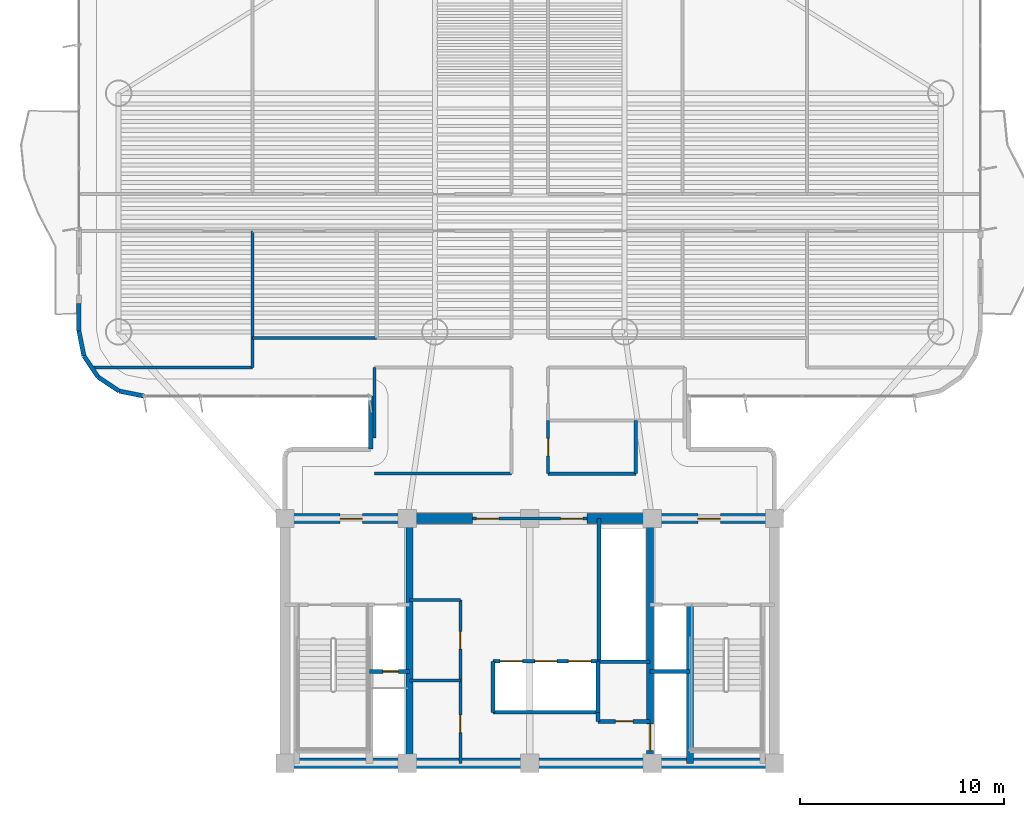
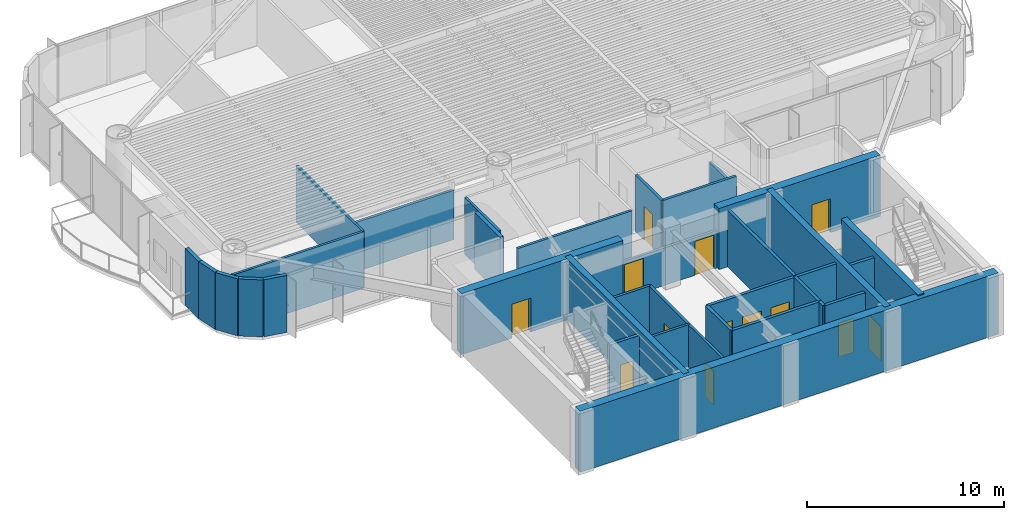
# One storey, part 9 of 16: 34 walls, 13 doors, 13 openings.
"""IFC4 building model written with IfcOpenShell, lengths in metres."""

from ifc_helpers import new_model, si_unit, direction, frame, frame_2d, origin, origin_2d, place, context, subcontext, project, spatial, rectangle, extrude, source, transform, mapped, material, layer, layer_set, type_object, element, fill, save


model = new_model("IFC4")

# Units and contexts
model_context = context("Model", 3, precision=1e-05, world=origin(), true_north=direction((0.0, 1.0)))
body_context = subcontext(model_context, "Body", "Model", "MODEL_VIEW")
ifc_project = project(units=[si_unit("LENGTHUNIT", "METRE"), si_unit("AREAUNIT", "SQUARE_METRE"), si_unit("VOLUMEUNIT", "CUBIC_METRE"), si_unit("PLANEANGLEUNIT", "RADIAN"), si_unit("MASSUNIT", "GRAM", prefix="KILO")], contexts=[model_context])

# Site, building, storey
site_placement = place(None, origin())
site = spatial("IfcSite", under=ifc_project, at=site_placement, CompositionType="ELEMENT")
building_placement = place(site_placement, origin())
building = spatial("IfcBuilding", under=site, at=building_placement, Name="Brelvock Crest Care Tower", CompositionType="ELEMENT")
storey_placement = place(building_placement, frame((0.0, 0.0, 108.719970703125)))
storey = spatial("IfcBuildingStorey", under=building, at=storey_placement, Name="L27", CompositionType="ELEMENT", Elevation=108.719970703125)

# Wall
ifc_material_1 = material(Name="Concrete S80 (80 MPa)", Category="concrete")
ifc_layer_1 = layer(ifc_material_1, 0.5, Name="WL-CS2")
ifc_layer_set_1 = layer_set([ifc_layer_1], Name="Concrete S80 (80 MPa)")
wall_type_1 = type_object("IfcWallType", Name="WL-CS2", PredefinedType="SHEAR", material=ifc_layer_set_1)
wall_1_placement = place(storey_placement, frame((48.25, 6.0, 0.0), z_axis=(0.0, 0.0, 1.0), x_axis=(-1.0, 0.0, 0.0)))
element("IfcWall", 1, at=wall_1_placement, inside=storey, type_object=wall_type_1, Name="L27 Core South Shear Wall", PredefinedType="SHEAR", context=body_context, shape_type="SweptSolid", body=[
    extrude(rectangle(XDim=24.5, YDim=0.5, at=frame_2d((12.25, 0.0))), origin(), (0.0, 0.0, 1.0), 3.780029296875),
])

# Wall, opening, door
wall_2_placement = place(storey_placement, frame((23.75, 18.0, 0.0), z_axis=(0.0, 0.0, 1.0), x_axis=(1.0, 0.0, 0.0)))
wall_2 = element("IfcWall", 2, at=wall_2_placement, inside=storey, type_object=wall_type_1, Name="L27 Core North-West Shear Wall", PredefinedType="SHEAR", context=body_context, shape_type="SweptSolid", body=[
    extrude(rectangle(XDim=9.449951171875, YDim=0.5, at=frame_2d((4.72509765625, 0.0))), origin(), (0.0, 0.0, 1.0), 3.780029296875),
])
opening_1_placement = place(wall_2_placement, frame((2.949951171875, 0.0, 0.0)))
opening_1 = element("IfcOpeningElement", 3, at=opening_1_placement, cuts=wall_2, Name="Opening FD-1", PredefinedType="OPENING", context=body_context, shape_type="SweptSolid", body=[
    extrude(rectangle(XDim=1.10009765625, YDim=2.10009765625, at=origin_2d()), frame((0.550048828125, 0.260009765625, 1.050048828125), z_axis=(0.0, -1.0, 0.0), x_axis=(1.0, 0.0, 0.0)), (0.0, 0.0, 1.0), 0.52001953125),
])
ifc_material_2 = material(Name="Steel Grade 350", Category="steel")
door_type_1 = type_object("IfcDoorType", Name="DR-FFL1", OperationType="NOTDEFINED", PredefinedType="DOOR", material=ifc_material_2)
shared_shape_1 = source(origin(), body_context, "Body", "SweptSolid", [
    extrude(rectangle(XDim=1.10009765625, YDim=2.10009765625, at=origin_2d()), frame((0.550048828125, 0.02490234375, 1.050048828125), z_axis=(0.0, -1.0, 0.0), x_axis=(1.0, 0.0, 0.0)), (0.0, 0.0, 1.0), 0.050048828125),
])
door_1_placement = place(opening_1_placement, origin())
door_1 = element("IfcDoor", 4, at=door_1_placement, inside=storey, type_object=door_type_1, Name="L27 Firefighting Lobby FFL-1 Exit Door", OperationType="SINGLE_SWING_LEFT", OverallHeight=2.10009765625, OverallWidth=1.10009765625, PredefinedType="DOOR", context=body_context, shape_type="MappedRepresentation", body=[
    mapped(shared_shape_1, transform((0.0, 0.0, 0.0), x_axis=(1.0, 0.0, 0.0), y_axis=(0.0, 1.0, 0.0), z_axis=(0.0, 0.0, 1.0), scale=1.0)),
])
fill(opening_1, door_1)

wall_3_placement = place(storey_placement, frame((38.800048828125, 18.0, 0.0), z_axis=(0.0, 0.0, 1.0), x_axis=(1.0, 0.0, 0.0)))
wall_3 = element("IfcWall", 5, at=wall_3_placement, inside=storey, type_object=wall_type_1, Name="L27 Core North-East Shear Wall", PredefinedType="SHEAR", context=body_context, shape_type="SweptSolid", body=[
    extrude(rectangle(XDim=9.449951171875, YDim=0.5, at=frame_2d((4.72509765625, 0.0))), origin(), (0.0, 0.0, 1.0), 3.780029296875),
])
opening_2_placement = place(wall_3_placement, frame((5.449951171875, 0.0, 0.0)))
opening_2 = element("IfcOpeningElement", 6, at=opening_2_placement, cuts=wall_3, Name="Opening FD-1", PredefinedType="OPENING", context=body_context, shape_type="SweptSolid", body=[
    extrude(rectangle(XDim=1.10009765625, YDim=2.10009765625, at=origin_2d()), frame((0.550048828125, 0.260009765625, 1.050048828125), z_axis=(0.0, -1.0, 0.0), x_axis=(1.0, 0.0, 0.0)), (0.0, 0.0, 1.0), 0.52001953125),
])
door_2_placement = place(opening_2_placement, origin())
door_2 = element("IfcDoor", 7, at=door_2_placement, inside=storey, type_object=door_type_1, Name="L27 Firefighting Lobby FFL-2 Exit Door", OperationType="SINGLE_SWING_RIGHT", OverallHeight=2.10009765625, OverallWidth=1.10009765625, PredefinedType="DOOR", context=body_context, shape_type="MappedRepresentation", body=[
    mapped(shared_shape_1, transform((0.0, 0.0, 0.0), x_axis=(1.0, 0.0, 0.0), y_axis=(0.0, 1.0, 0.0), z_axis=(0.0, 0.0, 1.0), scale=1.0)),
])
fill(opening_2, door_2)

# Wall
ifc_layer_2 = layer(ifc_material_1, 0.35009765625, Name="WL-CS5")
ifc_layer_set_2 = layer_set([ifc_layer_2], Name="Concrete S80 (80 MPa)")
wall_type_2 = type_object("IfcWallType", Name="WL-CS5", PredefinedType="SHEAR", material=ifc_layer_set_2)
wall_4_placement = place(storey_placement, frame((30.10009765625, 6.0, 0.0), z_axis=(0.0, 0.0, 1.0), x_axis=(0.0, 1.0, 0.0)))
element("IfcWall", 8, at=wall_4_placement, inside=storey, type_object=wall_type_2, Name="L27 Core Internal Web Wall West", PredefinedType="SHEAR", context=body_context, shape_type="SweptSolid", body=[
    extrude(rectangle(XDim=12.0, YDim=0.35009765625, at=frame_2d((6.0, 0.0))), origin(), (0.0, 0.0, 1.0), 3.780029296875),
])

# Wall, opening, door
wall_5_placement = place(storey_placement, frame((41.89990234375, 18.0, 0.0), z_axis=(0.0, 0.0, 1.0), x_axis=(0.0, -1.0, 0.0)))
wall_5 = element("IfcWall", 9, at=wall_5_placement, inside=storey, type_object=wall_type_2, Name="L27 Core Internal Web Wall East", PredefinedType="SHEAR", context=body_context, shape_type="SweptSolid", body=[
    extrude(rectangle(XDim=12.0, YDim=0.35009765625, at=frame_2d((6.0, 0.0))), origin(), (0.0, 0.0, 1.0), 3.780029296875),
])
opening_3_placement = place(wall_5_placement, frame((10.080078125, 0.0, 0.0)))
opening_3 = element("IfcOpeningElement", 10, at=opening_3_placement, cuts=wall_5, Name="Opening LD-S", PredefinedType="OPENING", context=body_context, shape_type="SweptSolid", body=[
    extrude(rectangle(XDim=1.300048828125, YDim=2.10009765625, at=origin_2d()), frame((0.64990234375, 0.18505859375, 1.050048828125), z_axis=(0.0, -1.0, 0.0), x_axis=(1.0, 0.0, 0.0)), (0.0, 0.0, 1.0), 0.3701171875),
])
door_type_2 = type_object("IfcDoorType", Name="DR-LDS1", OperationType="NOTDEFINED", PredefinedType="DOOR", material=ifc_material_2)
shared_shape_2 = source(origin(), body_context, "Body", "SweptSolid", [
    extrude(rectangle(XDim=1.300048828125, YDim=2.10009765625, at=origin_2d()), frame((0.64990234375, 0.02490234375, 1.050048828125), z_axis=(0.0, -1.0, 0.0), x_axis=(1.0, 0.0, 0.0)), (0.0, 0.0, 1.0), 0.050048828125),
])
door_3_placement = place(opening_3_placement, origin())
door_3 = element("IfcDoor", 11, at=door_3_placement, inside=storey, type_object=door_type_2, Name="L27 Clinical Bed Lift SL-1 Landing Door", OperationType="SLIDING_TO_LEFT", OverallHeight=2.10009765625, OverallWidth=1.300048828125, PredefinedType="DOOR", context=body_context, shape_type="MappedRepresentation", body=[
    mapped(shared_shape_2, transform((0.0, 0.0, 0.0), x_axis=(1.0, 0.0, 0.0), y_axis=(0.0, 1.0, 0.0), z_axis=(0.0, 0.0, 1.0), scale=1.0)),
])
fill(opening_3, door_3)

# Walls
wall_6_placement = place(storey_placement, frame((43.85009765625, 6.0, 0.0), z_axis=(0.0, 0.0, 1.0), x_axis=(0.0, 1.0, 0.0)))
element("IfcWall", 12, at=wall_6_placement, inside=storey, type_object=wall_type_2, Name="L27 Core Stair ST-2 West Shear Wall", PredefinedType="SHEAR", context=body_context, shape_type="SweptSolid", body=[
    extrude(rectangle(XDim=7.780029296875, YDim=0.35009765625, at=frame_2d((3.89013671875, 0.0))), origin(), (0.0, 0.0, 1.0), 3.85009765625),
])
ifc_material_3 = material(Name="Precast concrete N40 (40 MPa)", Category="concrete")
ifc_layer_3 = layer(ifc_material_3, 0.215087890625, Name="WL-EX2")
ifc_layer_set_3 = layer_set([ifc_layer_3], Name="Precast concrete N40 (40 MPa)")
wall_type_3 = type_object("IfcWallType", Name="WL-EX2", PredefinedType="SOLIDWALL", material=ifc_layer_set_3)
wall_7_placement = place(storey_placement, frame((28.199951171875, 21.39990234375, 0.0), z_axis=(0.0, 0.0, 1.0), x_axis=(0.0, 1.0, 0.0)))
element("IfcWall", 13, at=wall_7_placement, inside=storey, type_object=wall_type_3, Name="L27 Rounded Corner Wall 11", PredefinedType="SOLIDWALL", context=body_context, shape_type="SweptSolid", body=[
    extrude(rectangle(XDim=2.60009765625, YDim=0.215087890625, at=frame_2d((1.300048828125, 0.0))), origin(), (0.0, 0.0, 1.0), 3.530029296875),
])
for number, where, z_axis, x_axis, name in (
    (14, (17.10009765625, 24.0, 0.0), (0.0, 0.0, 1.0), (-0.980775717779, 0.195138390419, 0.0), "L27 Rounded Corner Wall 13"),
    (15, (15.87548828125, 24.24365234375, 0.0), (0.0, 0.0, 1.0), (-0.831478245117, 0.555557312883, 0.0), "L27 Rounded Corner Wall 14"),
    (16, (14.83740234375, 24.937255859375, 0.0), (0.0, 0.0, 1.0), (-0.555692485475, 0.831387912822, 0.0), "L27 Rounded Corner Wall 15"),
    (17, (14.1435546875, 25.975341796875, 0.0), (0.0, 0.0, 1.0), (-0.195138390419, 0.980775717779, 0.0), "L27 Rounded Corner Wall 16"),
):
    element("IfcWall", number, at=place(storey_placement, frame(where, z_axis=z_axis, x_axis=x_axis)), inside=storey, type_object=wall_type_3, Name=name, PredefinedType="SOLIDWALL", context=body_context, shape_type="SweptSolid", body=[
        extrude(rectangle(XDim=1.24853515625, YDim=0.215087890625, at=frame_2d((0.624267578125, 0.0))), origin(), (0.0, 0.0, 1.0), 3.530029296875),
    ])
wall_8_placement = place(storey_placement, frame((13.89990234375, 27.199951171875, 0.0), z_axis=(0.0, 0.0, 1.0), x_axis=(0.0, 1.0, 0.0)))
element("IfcWall", 18, at=wall_8_placement, inside=storey, type_object=wall_type_3, Name="L27 Exterior Spandrel Pier E17A", PredefinedType="SOLIDWALL", context=body_context, shape_type="SweptSolid", body=[
    extrude(rectangle(XDim=1.35009765625, YDim=0.215087890625, at=frame_2d((0.675048828125, 0.0))), origin(), (0.0, 0.0, 1.0), 3.530029296875),
])
ifc_material_4 = material(Name="Masonry Blockwork Acoustic Partition", Category="masonry")
ifc_layer_4 = layer(ifc_material_4, 0.14990234375, Name="WL-INT1")
ifc_layer_set_4 = layer_set([ifc_layer_4], Name="Masonry Blockwork Acoustic Partition")
wall_type_4 = type_object("IfcWallType", Name="WL-INT1", PredefinedType="PARTITIONING", material=ifc_layer_set_4)
for number, where, z_axis, x_axis, name in (
    (19, (30.10009765625, 14.0, 0.0), (0.0, 0.0, 1.0), (1.0, 0.0, 0.0), "L27 Interior Wall WL-CRCL-N1-L27"),
    (20, (30.10009765625, 10.050048828125, 0.0), (0.0, 0.0, 1.0), (1.0, 0.0, 0.0), "L27 Interior Wall WL-CSBW-S1-L27"),
):
    element("IfcWall", number, at=place(storey_placement, frame(where, z_axis=z_axis, x_axis=x_axis)), inside=storey, type_object=wall_type_4, Name=name, PredefinedType="PARTITIONING", context=body_context, shape_type="SweptSolid", body=[
        extrude(rectangle(XDim=2.5, YDim=0.14990234375, at=frame_2d((1.25, 0.0))), origin(), (0.0, 0.0, 1.0), 3.5),
    ])

# Wall, openings, doors
wall_9_placement = place(storey_placement, frame((32.60009765625, 6.0, 0.0), z_axis=(0.0, 0.0, 1.0), x_axis=(0.0, 1.0, 0.0)))
wall_9 = element("IfcWall", 21, at=wall_9_placement, inside=storey, type_object=wall_type_4, Name="L27 Interior Wall WL-CRCL-E-L27", PredefinedType="PARTITIONING", context=body_context, shape_type="SweptSolid", body=[
    extrude(rectangle(XDim=8.0, YDim=0.14990234375, at=frame_2d((4.0, 0.0))), origin(), (0.0, 0.0, 1.0), 3.5),
])
opening_4_placement = place(wall_9_placement, frame((1.5, 0.0, 0.0)))
opening_4 = element("IfcOpeningElement", 22, at=opening_4_placement, cuts=wall_9, Name="Opening ID-1", PredefinedType="OPENING", context=body_context, shape_type="SweptSolid", body=[
    extrude(rectangle(XDim=0.860107421875, YDim=2.10009765625, at=origin_2d()), frame((0.43017578125, 0.0849609375, 1.050048828125), z_axis=(0.0, -1.0, 0.0), x_axis=(1.0, 0.0, 0.0)), (0.0, 0.0, 1.0), 0.169921875),
])
opening_5_placement = place(wall_9_placement, frame((5.60009765625, 0.0, 0.0)))
opening_5 = element("IfcOpeningElement", 23, at=opening_5_placement, cuts=wall_9, Name="Opening ID-1", PredefinedType="OPENING", context=body_context, shape_type="SweptSolid", body=[
    extrude(rectangle(XDim=0.860107421875, YDim=2.10009765625, at=origin_2d()), frame((0.43017578125, 0.0849609375, 1.050048828125), z_axis=(0.0, -1.0, 0.0), x_axis=(1.0, 0.0, 0.0)), (0.0, 0.0, 1.0), 0.169921875),
])
ifc_material_5 = material(Name="Engineered Hardwood Timber", Category="wood")
door_type_3 = type_object("IfcDoorType", Name="DR-INT1", OperationType="NOTDEFINED", PredefinedType="DOOR", material=ifc_material_5)
shared_shape_3 = source(origin(), body_context, "Body", "SweptSolid", [
    extrude(rectangle(XDim=0.860107421875, YDim=2.10009765625, at=origin_2d()), frame((0.43017578125, 0.02490234375, 1.050048828125), z_axis=(0.0, -1.0, 0.0), x_axis=(1.0, 0.0, 0.0)), (0.0, 0.0, 1.0), 0.050048828125),
])
door_4_placement = place(opening_4_placement, origin())
door_4 = element("IfcDoor", 24, at=door_4_placement, inside=storey, type_object=door_type_3, Name="DR-CSBW-L27", OperationType="SINGLE_SWING_LEFT", OverallHeight=2.10009765625, OverallWidth=0.860107421875, PredefinedType="DOOR", context=body_context, shape_type="MappedRepresentation", body=[
    mapped(shared_shape_3, transform((0.0, 0.0, 0.0), x_axis=(1.0, 0.0, 0.0), y_axis=(0.0, 1.0, 0.0), z_axis=(0.0, 0.0, 1.0), scale=1.0)),
])
fill(opening_4, door_4)
door_5_placement = place(opening_5_placement, origin())
door_5 = element("IfcDoor", 25, at=door_5_placement, inside=storey, type_object=door_type_3, Name="DR-CRCL1-L27", OperationType="SINGLE_SWING_LEFT", OverallHeight=2.10009765625, OverallWidth=0.860107421875, PredefinedType="DOOR", context=body_context, shape_type="MappedRepresentation", body=[
    mapped(shared_shape_3, transform((0.0, 0.0, 0.0), x_axis=(1.0, 0.0, 0.0), y_axis=(0.0, 1.0, 0.0), z_axis=(0.0, 0.0, 1.0), scale=1.0)),
])
fill(opening_5, door_5)

wall_10_placement = place(storey_placement, frame((33.199951171875, 18.0, 0.0), z_axis=(0.0, 0.0, 1.0), x_axis=(1.0, 0.0, 0.0)))
wall_10 = element("IfcWall", 26, at=wall_10_placement, inside=storey, type_object=wall_type_4, Name="L27 Interior Wall WL-CORE-NPORT-L27", PredefinedType="PARTITIONING", context=body_context, shape_type="SweptSolid", body=[
    extrude(rectangle(XDim=5.60009765625, YDim=0.14990234375, at=frame_2d((2.800048828125, 0.0))), origin(), (0.0, 0.0, 1.0), 2.31494140625),
])
opening_6_placement = place(wall_10_placement, frame((0.18994140625, 0.0, 0.0)))
opening_6 = element("IfcOpeningElement", 27, at=opening_6_placement, cuts=wall_10, Name="Opening FD-1", PredefinedType="OPENING", context=body_context, shape_type="SweptSolid", body=[
    extrude(rectangle(XDim=1.10009765625, YDim=2.10009765625, at=origin_2d()), frame((0.550048828125, 0.0849609375, 1.050048828125), z_axis=(0.0, -1.0, 0.0), x_axis=(1.0, 0.0, 0.0)), (0.0, 0.0, 1.0), 0.169921875),
])
opening_7_placement = place(wall_10_placement, frame((4.31005859375, 0.0, 0.0)))
opening_7 = element("IfcOpeningElement", 28, at=opening_7_placement, cuts=wall_10, Name="Opening FD-1", PredefinedType="OPENING", context=body_context, shape_type="SweptSolid", body=[
    extrude(rectangle(XDim=1.10009765625, YDim=2.10009765625, at=origin_2d()), frame((0.550048828125, 0.0849609375, 1.050048828125), z_axis=(0.0, -1.0, 0.0), x_axis=(1.0, 0.0, 0.0)), (0.0, 0.0, 1.0), 0.169921875),
])
door_6_placement = place(opening_6_placement, origin())
door_6 = element("IfcDoor", 29, at=door_6_placement, inside=storey, type_object=door_type_1, Name="L27 Lift Lobby North Smoke Door West", OperationType="SINGLE_SWING_LEFT", OverallHeight=2.10009765625, OverallWidth=1.10009765625, PredefinedType="DOOR", context=body_context, shape_type="MappedRepresentation", body=[
    mapped(shared_shape_1, transform((0.0, 0.0, 0.0), x_axis=(1.0, 0.0, 0.0), y_axis=(0.0, 1.0, 0.0), z_axis=(0.0, 0.0, 1.0), scale=1.0)),
])
fill(opening_6, door_6)
door_7_placement = place(opening_7_placement, origin())
door_7 = element("IfcDoor", 30, at=door_7_placement, inside=storey, type_object=door_type_1, Name="L27 Lift Lobby North Smoke Door East", OperationType="SINGLE_SWING_RIGHT", OverallHeight=2.10009765625, OverallWidth=1.10009765625, PredefinedType="DOOR", context=body_context, shape_type="MappedRepresentation", body=[
    mapped(shared_shape_1, transform((0.0, 0.0, 0.0), x_axis=(1.0, 0.0, 0.0), y_axis=(0.0, 1.0, 0.0), z_axis=(0.0, 0.0, 1.0), scale=1.0)),
])
fill(opening_7, door_7)

# Walls
wall_11_placement = place(storey_placement, frame((28.39990234375, 20.199951171875, 0.0), z_axis=(0.0, 0.0, 1.0), x_axis=(1.0, 0.0, 0.0)))
element("IfcWall", 31, at=wall_11_placement, inside=storey, type_object=wall_type_4, Name="L27 Interior Wall WL-BX-L27-THW-S", PredefinedType="PARTITIONING", context=body_context, shape_type="SweptSolid", body=[
    extrude(rectangle(XDim=6.7001953125, YDim=0.14990234375, at=frame_2d((3.35009765625, 0.0))), origin(), (0.0, 0.0, 1.0), 3.5),
])
wall_12_placement = place(storey_placement, frame((14.624267578125, 25.39990234375, 0.0), z_axis=(0.0, 0.0, 1.0), x_axis=(1.0, 0.0, 0.0)))
element("IfcWall", 32, at=wall_12_placement, inside=storey, type_object=wall_type_4, Name="L27 Interior Wall WL-BX-L27-SW-S2", PredefinedType="PARTITIONING", context=body_context, shape_type="SweptSolid", body=[
    extrude(rectangle(XDim=7.775634765625, YDim=0.14990234375, at=frame_2d((3.8876953125, 0.0))), origin(), (0.0, 0.0, 1.0), 3.5),
])
wall_13_placement = place(storey_placement, frame((22.39990234375, 26.85009765625, 0.0), z_axis=(0.0, 0.0, 1.0), x_axis=(1.0, 0.0, 0.0)))
element("IfcWall", 33, at=wall_13_placement, inside=storey, type_object=wall_type_4, Name="L27 Interior Wall WL-BX-L27-ISWA-S", PredefinedType="PARTITIONING", context=body_context, shape_type="SweptSolid", body=[
    extrude(rectangle(XDim=6.10009765625, YDim=0.14990234375, at=frame_2d((3.050048828125, 0.0))), origin(), (0.0, 0.0, 1.0), 3.054931640625),
])
wall_14_placement = place(storey_placement, frame((22.39990234375, 25.39990234375, 0.0), z_axis=(0.0, 0.0, 1.0), x_axis=(0.0, 1.0, 0.0)))
element("IfcWall", 34, at=wall_14_placement, inside=storey, type_object=wall_type_4, Name="L27 Interior Wall WL-BX-L27-SW-E", PredefinedType="PARTITIONING", context=body_context, shape_type="SweptSolid", body=[
    extrude(rectangle(XDim=6.7001953125, YDim=0.14990234375, at=frame_2d((3.35009765625, 0.0))), origin(), (0.0, 0.0, 1.0), 3.5),
])
wall_15_placement = place(storey_placement, frame((28.39990234375, 21.957275390625, 0.0), z_axis=(0.0, 0.0, 1.0), x_axis=(0.0, 1.0, 0.0)))
element("IfcWall", 35, at=wall_15_placement, inside=storey, type_object=wall_type_4, Name="L27 Interior Wall WL-BX-L27-THW-W2", PredefinedType="PARTITIONING", context=body_context, shape_type="SweptSolid", body=[
    extrude(rectangle(XDim=3.442626953125, YDim=0.14990234375, at=frame_2d((1.72119140625, 0.0))), origin(), (0.0, 0.0, 1.0), 3.5),
])
ifc_material_6 = material(Name="Gypsum Plasterboard Partition", Category="gypsum")
ifc_layer_5 = layer(ifc_material_6, 0.159912109375, Name="WL-PLM1")
ifc_layer_set_5 = layer_set([ifc_layer_5], Name="Gypsum Plasterboard Partition")
wall_type_5 = type_object("IfcWallType", Name="WL-PLM1", PredefinedType="PLUMBINGWALL", material=ifc_layer_set_5)
wall_16_placement = place(storey_placement, frame((36.89990234375, 20.199951171875, 0.0), z_axis=(0.0, 0.0, 1.0), x_axis=(1.0, 0.0, 0.0)))
element("IfcWall", 36, at=wall_16_placement, inside=storey, type_object=wall_type_5, Name="L27 Interior Wall WL-BX-L27-THE1-S", PredefinedType="PLUMBINGWALL", context=body_context, shape_type="SweptSolid", body=[
    extrude(rectangle(XDim=4.300048828125, YDim=0.159912109375, at=frame_2d((2.14990234375, 0.0))), origin(), (0.0, 0.0, 1.0), 3.5),
])

# Wall, opening, door
wall_17_placement = place(storey_placement, frame((36.89990234375, 20.199951171875, 0.0), z_axis=(0.0, 0.0, 1.0), x_axis=(0.0, 1.0, 0.0)))
wall_17 = element("IfcWall", 37, at=wall_17_placement, inside=storey, type_object=wall_type_5, Name="L27 Interior Wall WL-RM-L27-THE1", PredefinedType="PLUMBINGWALL", context=body_context, shape_type="SweptSolid", body=[
    extrude(rectangle(XDim=2.60009765625, YDim=0.159912109375, at=frame_2d((1.300048828125, 0.0))), origin(), (0.0, 0.0, 1.0), 3.5),
])
opening_8_placement = place(wall_17_placement, frame((0.8701171875, 0.0, 0.0)))
opening_8 = element("IfcOpeningElement", 38, at=opening_8_placement, cuts=wall_17, Name="Opening WD-1", PredefinedType="OPENING", context=body_context, shape_type="SweptSolid", body=[
    extrude(rectangle(XDim=0.860107421875, YDim=2.10009765625, at=origin_2d()), frame((0.43017578125, 0.08984375, 1.050048828125), z_axis=(0.0, -1.0, 0.0), x_axis=(1.0, 0.0, 0.0)), (0.0, 0.0, 1.0), 0.179931640625),
])
door_type_4 = type_object("IfcDoorType", Name="DR-WC1", OperationType="NOTDEFINED", PredefinedType="DOOR", material=ifc_material_5)
shared_shape_4 = source(origin(), body_context, "Body", "SweptSolid", [
    extrude(rectangle(XDim=0.860107421875, YDim=2.10009765625, at=origin_2d()), frame((0.43017578125, 0.02490234375, 1.050048828125), z_axis=(0.0, -1.0, 0.0), x_axis=(1.0, 0.0, 0.0)), (0.0, 0.0, 1.0), 0.050048828125),
])
door_8_placement = place(opening_8_placement, origin())
door_8 = element("IfcDoor", 39, at=door_8_placement, inside=storey, type_object=door_type_4, Name="L27 Floor Accessible WC Door THE1", OperationType="SINGLE_SWING_LEFT", OverallHeight=2.10009765625, OverallWidth=0.860107421875, PredefinedType="DOOR", context=body_context, shape_type="MappedRepresentation", body=[
    mapped(shared_shape_4, transform((0.0, 0.0, 0.0), x_axis=(1.0, 0.0, 0.0), y_axis=(0.0, 1.0, 0.0), z_axis=(0.0, 0.0, 1.0), scale=1.0)),
])
fill(opening_8, door_8)

# Walls
wall_18_placement = place(storey_placement, frame((41.199951171875, 20.199951171875, 0.0), z_axis=(0.0, 0.0, 1.0), x_axis=(0.0, 1.0, 0.0)))
element("IfcWall", 40, at=wall_18_placement, inside=storey, type_object=wall_type_5, Name="L27 Interior Wall WL-BX-L27-THE1-E", PredefinedType="PLUMBINGWALL", context=body_context, shape_type="SweptSolid", body=[
    extrude(rectangle(XDim=2.60009765625, YDim=0.159912109375, at=frame_2d((1.300048828125, 0.0))), origin(), (0.0, 0.0, 1.0), 2.81494140625),
])
ifc_layer_6 = layer(ifc_material_4, 0.179931640625, Name="WL-SHF1")
ifc_layer_set_6 = layer_set([ifc_layer_6], Name="Masonry Blockwork Acoustic Partition")
wall_type_6 = type_object("IfcWallType", Name="WL-SHF1", PredefinedType="PARTITIONING", material=ifc_layer_set_6)
wall_19_placement = place(storey_placement, frame((34.199951171875, 8.5, 0.0), z_axis=(0.0, 0.0, 1.0), x_axis=(1.0, 0.0, 0.0)))
element("IfcWall", 41, at=wall_19_placement, inside=storey, type_object=wall_type_6, Name="L27 Interior Wall WL-PLM-S-L27", PredefinedType="PARTITIONING", context=body_context, shape_type="SweptSolid", body=[
    extrude(rectangle(XDim=5.150146484375, YDim=0.179931640625, at=frame_2d((2.5751953125, 0.0))), origin(), (0.0, 0.0, 1.0), 3.5),
])
for number, where, z_axis, x_axis, name in (
    (42, (34.199951171875, 8.5, 0.0), (0.0, 0.0, 1.0), (0.0, 1.0, 0.0), "L27 Interior Wall WL-PLM-W-L27"),
    (43, (39.35009765625, 8.5, 0.0), (0.0, 0.0, 1.0), (0.0, 1.0, 0.0), "L27 Interior Wall WL-PLM-E-L27"),
):
    element("IfcWall", number, at=place(storey_placement, frame(where, z_axis=z_axis, x_axis=x_axis)), inside=storey, type_object=wall_type_6, Name=name, PredefinedType="PARTITIONING", context=body_context, shape_type="SweptSolid", body=[
        extrude(rectangle(XDim=2.5, YDim=0.179931640625, at=frame_2d((1.25, 0.0))), origin(), (0.0, 0.0, 1.0), 3.5),
    ])
wall_20_placement = place(storey_placement, frame((39.39990234375, 11.0, 0.0), z_axis=(0.0, 0.0, 1.0), x_axis=(0.0, 1.0, 0.0)))
element("IfcWall", 44, at=wall_20_placement, inside=storey, type_object=wall_type_6, Name="L27 Interior Wall WL-PLH-SHF-L27", PredefinedType="PARTITIONING", context=body_context, shape_type="SweptSolid", body=[
    extrude(rectangle(XDim=7.0, YDim=0.179931640625, at=frame_2d((3.5, 0.0))), origin(), (0.0, 0.0, 1.0), 3.5),
])
wall_21_placement = place(storey_placement, frame((39.35009765625, 10.97998046875, 0.0), z_axis=(0.0, 0.0, 1.0), x_axis=(1.0, 0.0, 0.0)))
element("IfcWall", 45, at=wall_21_placement, inside=storey, type_object=wall_type_6, Name="L27 Interior Wall WL-CSBE-N-L27", PredefinedType="PARTITIONING", context=body_context, shape_type="SweptSolid", body=[
    extrude(rectangle(XDim=2.5498046875, YDim=0.179931640625, at=frame_2d((1.27490234375, 0.0))), origin(), (0.0, 0.0, 1.0), 3.5),
])
wall_22_placement = place(storey_placement, frame((39.35009765625, 8.050048828125, 0.0), z_axis=(0.0, 0.0, 1.0), x_axis=(0.0, 1.0, 0.0)))
element("IfcWall", 46, at=wall_22_placement, inside=storey, type_object=wall_type_6, Name="L27 Interior Wall WL-CSBE-W-L27", PredefinedType="PARTITIONING", context=body_context, shape_type="SweptSolid", body=[
    extrude(rectangle(XDim=0.449951171875, YDim=0.179931640625, at=frame_2d((0.22509765625, 0.0))), origin(), (0.0, 0.0, 1.0), 3.5),
])

# Wall, opening, door
wall_23_placement = place(storey_placement, frame((39.35009765625, 8.050048828125, 0.0), z_axis=(0.0, 0.0, 1.0), x_axis=(1.0, 0.0, 0.0)))
wall_23 = element("IfcWall", 47, at=wall_23_placement, inside=storey, type_object=wall_type_6, Name="L27 Interior Wall WL-CSBE-S-L27", PredefinedType="PARTITIONING", context=body_context, shape_type="SweptSolid", body=[
    extrude(rectangle(XDim=2.5498046875, YDim=0.179931640625, at=frame_2d((1.27490234375, 0.0))), origin(), (0.0, 0.0, 1.0), 3.5),
])
opening_9_placement = place(wall_23_placement, frame((0.85009765625, 0.0, 0.0)))
opening_9 = element("IfcOpeningElement", 48, at=opening_9_placement, cuts=wall_23, Name="Opening ID-1", PredefinedType="OPENING", context=body_context, shape_type="SweptSolid", body=[
    extrude(rectangle(XDim=0.860107421875, YDim=2.10009765625, at=origin_2d()), frame((0.43017578125, 0.10009765625, 1.050048828125), z_axis=(0.0, -1.0, 0.0), x_axis=(1.0, 0.0, 0.0)), (0.0, 0.0, 1.0), 0.199951171875),
])
door_9_placement = place(opening_9_placement, origin())
door_9 = element("IfcDoor", 49, at=door_9_placement, inside=storey, type_object=door_type_3, Name="DR-CSBE-L27", OperationType="SINGLE_SWING_LEFT", OverallHeight=2.10009765625, OverallWidth=0.860107421875, PredefinedType="DOOR", context=body_context, shape_type="MappedRepresentation", body=[
    mapped(shared_shape_3, transform((0.0, 0.0, 0.0), x_axis=(1.0, 0.0, 0.0), y_axis=(0.0, 1.0, 0.0), z_axis=(0.0, 0.0, 1.0), scale=1.0)),
])
fill(opening_9, door_9)

wall_24_placement = place(storey_placement, frame((28.14990234375, 10.5, 0.0), z_axis=(0.0, 0.0, 1.0), x_axis=(1.0, 0.0, 0.0)))
wall_24 = element("IfcWall", 50, at=wall_24_placement, inside=storey, type_object=wall_type_6, Name="L27 Interior Wall WL-FFH1-S-L27", PredefinedType="PARTITIONING", context=body_context, shape_type="SweptSolid", body=[
    extrude(rectangle(XDim=1.9501953125, YDim=0.179931640625, at=frame_2d((0.97509765625, 0.0))), origin(), (0.0, 0.0, 1.0), 3.5),
])
opening_10_placement = place(wall_24_placement, frame((0.64990234375, 0.0, 0.0)))
opening_10 = element("IfcOpeningElement", 51, at=opening_10_placement, cuts=wall_24, Name="Opening RD-1", PredefinedType="OPENING", context=body_context, shape_type="SweptSolid", body=[
    extrude(rectangle(XDim=0.760009765625, YDim=2.050048828125, at=origin_2d()), frame((0.3798828125, 0.10009765625, 1.02490234375), z_axis=(0.0, -1.0, 0.0), x_axis=(1.0, 0.0, 0.0)), (0.0, 0.0, 1.0), 0.199951171875),
])
door_type_5 = type_object("IfcDoorType", Name="DR-RIS1", OperationType="NOTDEFINED", PredefinedType="DOOR", material=ifc_material_2)
shared_shape_5 = source(origin(), body_context, "Body", "SweptSolid", [
    extrude(rectangle(XDim=0.760009765625, YDim=2.050048828125, at=origin_2d()), frame((0.3798828125, 0.02490234375, 1.02490234375), z_axis=(0.0, -1.0, 0.0), x_axis=(1.0, 0.0, 0.0)), (0.0, 0.0, 1.0), 0.050048828125),
])
door_10_placement = place(opening_10_placement, origin())
door_10 = element("IfcDoor", 52, at=door_10_placement, inside=storey, type_object=door_type_5, Name="L27 Wet Fire Riser Access Door", OperationType="SINGLE_SWING_LEFT", OverallHeight=2.050048828125, OverallWidth=0.760009765625, PredefinedType="DOOR", context=body_context, shape_type="MappedRepresentation", body=[
    mapped(shared_shape_5, transform((0.0, 0.0, 0.0), x_axis=(1.0, 0.0, 0.0), y_axis=(0.0, 1.0, 0.0), z_axis=(0.0, 0.0, 1.0), scale=1.0)),
])
fill(opening_10, door_10)

# Wall
wall_25_placement = place(storey_placement, frame((41.89990234375, 10.5, 0.0), z_axis=(0.0, 0.0, 1.0), x_axis=(1.0, 0.0, 0.0)))
element("IfcWall", 53, at=wall_25_placement, inside=storey, type_object=wall_type_6, Name="L27 Interior Wall WL-FFH2-S-L27", PredefinedType="PARTITIONING", context=body_context, shape_type="SweptSolid", body=[
    extrude(rectangle(XDim=1.9501953125, YDim=0.179931640625, at=frame_2d((0.97509765625, 0.0))), origin(), (0.0, 0.0, 1.0), 3.5),
])

# Wall, openings, doors
wall_26_placement = place(storey_placement, frame((34.199951171875, 11.0, 0.0), z_axis=(0.0, 0.0, 1.0), x_axis=(1.0, 0.0, 0.0)))
wall_26 = element("IfcWall", 54, at=wall_26_placement, inside=storey, type_object=wall_type_6, Name="L27 Interior Wall WL-PLM-BANK-L27", PredefinedType="PARTITIONING", context=body_context, shape_type="SweptSolid", body=[
    extrude(rectangle(XDim=5.150146484375, YDim=0.179931640625, at=frame_2d((2.5751953125, 0.0))), origin(), (0.0, 0.0, 1.0), 3.5),
])
opening_11_placement = place(wall_26_placement, frame((0.35009765625, 0.0, 0.0)))
opening_11 = element("IfcOpeningElement", 55, at=opening_11_placement, cuts=wall_26, Name="Opening LD", PredefinedType="OPENING", context=body_context, shape_type="SweptSolid", body=[
    extrude(rectangle(XDim=1.10009765625, YDim=2.10009765625, at=origin_2d()), frame((0.550048828125, 0.10009765625, 1.050048828125), z_axis=(0.0, -1.0, 0.0), x_axis=(1.0, 0.0, 0.0)), (0.0, 0.0, 1.0), 0.199951171875),
])
opening_12_placement = place(wall_26_placement, frame((2.050048828125, 0.0, 0.0)))
opening_12 = element("IfcOpeningElement", 56, at=opening_12_placement, cuts=wall_26, Name="Opening LD", PredefinedType="OPENING", context=body_context, shape_type="SweptSolid", body=[
    extrude(rectangle(XDim=1.10009765625, YDim=2.10009765625, at=origin_2d()), frame((0.550048828125, 0.10009765625, 1.050048828125), z_axis=(0.0, -1.0, 0.0), x_axis=(1.0, 0.0, 0.0)), (0.0, 0.0, 1.0), 0.199951171875),
])
opening_13_placement = place(wall_26_placement, frame((3.699951171875, 0.0, 0.0)))
opening_13 = element("IfcOpeningElement", 57, at=opening_13_placement, cuts=wall_26, Name="Opening LD", PredefinedType="OPENING", context=body_context, shape_type="SweptSolid", body=[
    extrude(rectangle(XDim=1.10009765625, YDim=2.10009765625, at=origin_2d()), frame((0.550048828125, 0.10009765625, 1.050048828125), z_axis=(0.0, -1.0, 0.0), x_axis=(1.0, 0.0, 0.0)), (0.0, 0.0, 1.0), 0.199951171875),
])
door_type_6 = type_object("IfcDoorType", Name="DR-LD1", OperationType="NOTDEFINED", PredefinedType="DOOR", material=ifc_material_2)
shared_shape_6 = source(origin(), body_context, "Body", "SweptSolid", [
    extrude(rectangle(XDim=1.10009765625, YDim=2.10009765625, at=origin_2d()), frame((0.550048828125, 0.02490234375, 1.050048828125), z_axis=(0.0, -1.0, 0.0), x_axis=(1.0, 0.0, 0.0)), (0.0, 0.0, 1.0), 0.050048828125),
])
door_11_placement = place(opening_11_placement, origin())
door_11 = element("IfcDoor", 58, at=door_11_placement, inside=storey, type_object=door_type_6, Name="L27 Lift PL-M1 Landing Door", OperationType="SLIDING_TO_LEFT", OverallHeight=2.10009765625, OverallWidth=1.10009765625, PredefinedType="DOOR", context=body_context, shape_type="MappedRepresentation", body=[
    mapped(shared_shape_6, transform((0.0, 0.0, 0.0), x_axis=(1.0, 0.0, 0.0), y_axis=(0.0, 1.0, 0.0), z_axis=(0.0, 0.0, 1.0), scale=1.0)),
])
fill(opening_11, door_11)
door_12_placement = place(opening_12_placement, origin())
door_12 = element("IfcDoor", 59, at=door_12_placement, inside=storey, type_object=door_type_6, Name="L27 Lift PL-M2 Landing Door", OperationType="SLIDING_TO_LEFT", OverallHeight=2.10009765625, OverallWidth=1.10009765625, PredefinedType="DOOR", context=body_context, shape_type="MappedRepresentation", body=[
    mapped(shared_shape_6, transform((0.0, 0.0, 0.0), x_axis=(1.0, 0.0, 0.0), y_axis=(0.0, 1.0, 0.0), z_axis=(0.0, 0.0, 1.0), scale=1.0)),
])
fill(opening_12, door_12)
door_13_placement = place(opening_13_placement, origin())
door_13 = element("IfcDoor", 60, at=door_13_placement, inside=storey, type_object=door_type_6, Name="L27 Lift PL-M3 Landing Door", OperationType="SLIDING_TO_LEFT", OverallHeight=2.10009765625, OverallWidth=1.10009765625, PredefinedType="DOOR", context=body_context, shape_type="MappedRepresentation", body=[
    mapped(shared_shape_6, transform((0.0, 0.0, 0.0), x_axis=(1.0, 0.0, 0.0), y_axis=(0.0, 1.0, 0.0), z_axis=(0.0, 0.0, 1.0), scale=1.0)),
])
fill(opening_13, door_13)

save(model, "model.ifc")
